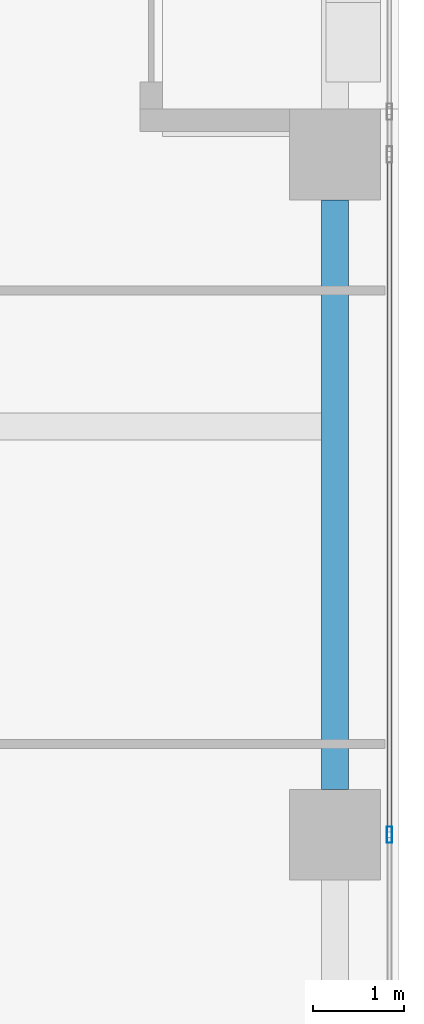
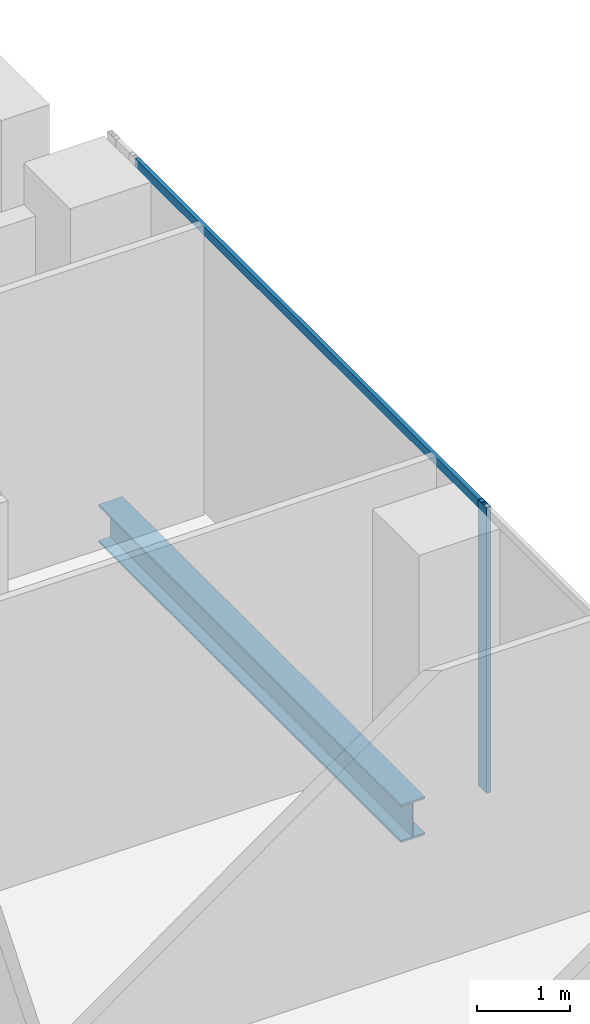
# One storey, part 17 of 40: 2 members, 1 beam, 1 element without a shape of its own.
"""IFC4 building model written with IfcOpenShell, lengths in metres."""

import ifcopenshell
import ifcopenshell.guid

model = None  # the IFC model being written
_history = None  # IfcOwnerHistory: only IFC2X3 demands one
_inside = {}  # id of a spatial element -> (the spatial element, [elements in it])
_under = {}  # id of a project, library or spatial element -> (it, [spatial elements below it])
_declared = {}  # id of a project -> (the project, [libraries it declares])
_typed = {}  # id of a type object -> (the type object, [elements of that type])
_made_of = {}  # id of a material, layer set ... -> (it, [elements and type objects made of it])


def new_model(schema):
    """Start an empty IFC model of exactly this schema.

    Asked for "IFC4X3", IfcOpenShell would pick the latest addendum, in which some entities
    have other attributes; the version numbers below select the first issue.
    IFC2X3 requires an IfcOwnerHistory on every rooted entity: one is made here for all.
    """
    global model, _history
    if schema == "IFC4X3":
        model = ifcopenshell.file(schema_version=(4, 3, 0, 0))
    else:
        model = ifcopenshell.file(schema=schema)
    _inside.clear()
    _under.clear()
    _declared.clear()
    _typed.clear()
    _made_of.clear()
    _history = None
    if model.schema == "IFC2X3":
        org = make("IfcOrganization", Name="unknown")
        user = make(
            "IfcPersonAndOrganization",
            ThePerson=make("IfcPerson", FamilyName="unknown"),
            TheOrganization=org,
        )
        app = make(
            "IfcApplication",
            ApplicationDeveloper=org,
            Version="unknown",
            ApplicationFullName="unknown",
            ApplicationIdentifier="unknown",
        )
        _history = make(
            "IfcOwnerHistory",
            OwningUser=user,
            OwningApplication=app,
            ChangeAction="ADDED",
            CreationDate=0,
        )
    return model


def make(cls, **values):
    """One entity of the class cls with the attributes given. An attribute that is None is left unset."""
    return model.create_entity(
        cls, **{name: value for name, value in values.items() if value is not None}
    )


def rooted(cls, **values):
    """An entity with a GlobalId (a new one), such as an element, a storey or a relation."""
    return make(cls, GlobalId=ifcopenshell.guid.new(), OwnerHistory=_history, **values)


def si_unit(unit_type, name, prefix=None):
    """IfcSIUnit, for example si_unit("LENGTHUNIT", "METRE", prefix="MILLI")."""
    return make("IfcSIUnit", UnitType=unit_type, Prefix=prefix, Name=name)


def assignment(units):
    """IfcUnitAssignment: the units of a project."""
    return None if units is None else make("IfcUnitAssignment", Units=units)


def point(xyz):
    """IfcCartesianPoint."""
    return None if xyz is None else make("IfcCartesianPoint", Coordinates=xyz)


def direction(xyz):
    """IfcDirection."""
    return None if xyz is None else make("IfcDirection", DirectionRatios=xyz)


def frame(location, z_axis=None, x_axis=None):
    """IfcAxis2Placement3D, a coordinate frame: its origin and axes. An axis left out is left unset."""
    return make(
        "IfcAxis2Placement3D",
        Location=point(location),
        Axis=direction(z_axis),
        RefDirection=direction(x_axis),
    )


def frame_2d(location, x_axis=None):
    """IfcAxis2Placement2D, a coordinate frame in the plane: its origin and x axis."""
    return make(
        "IfcAxis2Placement2D", Location=point(location), RefDirection=direction(x_axis)
    )


def origin():
    """The frame at (0, 0, 0) with its axes left unset."""
    return frame((0.0, 0.0, 0.0))


def origin_2d():
    """The frame at (0, 0) in the plane with its x axis left unset."""
    return frame_2d((0.0, 0.0))


def place(relative_to, where):
    """IfcLocalPlacement: puts the frame where relative to a parent placement (None: the world)."""
    return make(
        "IfcLocalPlacement", PlacementRelTo=relative_to, RelativePlacement=where
    )


def context(
    kind, dimensions, precision=None, world=None, true_north=None, identifier=None
):
    """IfcGeometricRepresentationContext, for example the 3D "Model" context."""
    return make(
        "IfcGeometricRepresentationContext",
        ContextIdentifier=identifier,
        ContextType=kind,
        CoordinateSpaceDimension=dimensions,
        Precision=precision,
        WorldCoordinateSystem=world,
        TrueNorth=true_north,
    )


def subcontext(parent, identifier, kind, view, scale=None):
    """IfcGeometricRepresentationSubContext, for example "Body" below "Model"."""
    return make(
        "IfcGeometricRepresentationSubContext",
        ContextIdentifier=identifier,
        ContextType=kind,
        ParentContext=parent,
        TargetScale=scale,
        TargetView=view,
    )


def project(units=None, contexts=None):
    """IfcProject with its units and contexts."""
    return rooted(
        "IfcProject",
        Name="project",
        RepresentationContexts=contexts,
        UnitsInContext=assignment(units),
    )


def spatial(cls, under=None, at=None, **own):
    """A site, building, storey or space (cls), placed at a placement, below another one or the project."""
    s = rooted(cls, ObjectPlacement=at, **own)
    if under is not None:
        _under.setdefault(under.id(), (under, []))[1].append(s)
    return s


def profile(cls, at=None, kind="AREA", **sizes):
    """A parametric profile (cls). Its sizes go by their IFC names, for example OverallWidth=200.0."""
    return make(cls, ProfileType=kind, Position=at, **sizes)


def hollow_rectangle(**sizes):
    """IfcRectangleHollowProfileDef."""
    return profile("IfcRectangleHollowProfileDef", **sizes)


def i_section(**sizes):
    """IfcIShapeProfileDef."""
    return profile("IfcIShapeProfileDef", **sizes)


def extrude(swept, where, along, depth):
    """IfcExtrudedAreaSolid: the profile swept, set in the frame where, extruded along a direction by depth."""
    return make(
        "IfcExtrudedAreaSolid",
        SweptArea=swept,
        Position=where,
        ExtrudedDirection=direction(along),
        Depth=depth,
    )


def shape(context_of_items, identifier, shape_type, items):
    """IfcShapeRepresentation: the items that make up one representation, for example the "Body"."""
    return make(
        "IfcShapeRepresentation",
        ContextOfItems=context_of_items,
        RepresentationIdentifier=identifier,
        RepresentationType=shape_type,
        Items=items,
    )


def source(mapping_origin, context_of_items, identifier, shape_type, items):
    """IfcRepresentationMap: a shape defined once, which mapped items show again and again."""
    return make(
        "IfcRepresentationMap",
        MappingOrigin=mapping_origin,
        MappedRepresentation=shape(context_of_items, identifier, shape_type, items),
    )


def transform(
    local_origin,
    x_axis=None,
    y_axis=None,
    z_axis=None,
    scale=None,
    scale2=None,
    scale3=None,
    uniform=True,
):
    """IfcCartesianTransformationOperator3D, or its non-uniform kind. x_axis, y_axis, z_axis: its Axis1, 2, 3."""
    if uniform:
        return make(
            "IfcCartesianTransformationOperator3D",
            Axis1=direction(x_axis),
            Axis2=direction(y_axis),
            LocalOrigin=point(local_origin),
            Scale=scale,
            Axis3=direction(z_axis),
        )
    return make(
        "IfcCartesianTransformationOperator3DnonUniform",
        Axis1=direction(x_axis),
        Axis2=direction(y_axis),
        LocalOrigin=point(local_origin),
        Scale=scale,
        Axis3=direction(z_axis),
        Scale2=scale2,
        Scale3=scale3,
    )


def mapped(mapping_source, mapping_target):
    """IfcMappedItem: shows the shape of a source again, moved by a transform."""
    return make(
        "IfcMappedItem", MappingSource=mapping_source, MappingTarget=mapping_target
    )


def material(Name=None, Category=None):
    """IfcMaterial."""
    return make("IfcMaterial", Name=Name, Category=Category)


def material_profile(
    of_material, cross_section, Name=None, Category=None, Priority=None
):
    """IfcMaterialProfile: a cross section and its material."""
    return make(
        "IfcMaterialProfile",
        Name=Name,
        Material=of_material,
        Profile=cross_section,
        Priority=Priority,
        Category=Category,
    )


def profile_set(profiles, Name=None, composite=None):
    """IfcMaterialProfileSet."""
    return make(
        "IfcMaterialProfileSet",
        Name=Name,
        MaterialProfiles=profiles,
        CompositeProfile=composite,
    )


def made_of(thing, what):
    """Note that an element or type object is made of a material, layer set ...; save() writes the relation."""
    if what is not None:
        _made_of.setdefault(what.id(), (what, []))[1].append(thing)
    return thing


def type_object(cls, material=None, **own):
    """A type object (cls), such as IfcWallType, which elements share."""
    return made_of(rooted(cls, **own), material)


def element(
    cls,
    number,
    at=None,
    inside=None,
    cuts=None,
    type_object=None,
    material=None,
    context=None,
    identifier="Body",
    shape_type=None,
    held_by="IfcProductDefinitionShape",
    body=None,
    shapes=None,
    **own,
):
    """One element of the class cls, such as IfcWall. Its Tag is "e" and its number.

    at: its placement. inside: the storey or other place that contains it. cuts: it is an
    opening in that element (IfcRelVoidsElement). A single representation is given by context,
    identifier, shape_type and body (its items); several are given by shapes. held_by: the class
    of the entity that holds the representations. save() writes the other relations.
    """
    e = rooted(cls, Tag="e%d" % number, ObjectPlacement=at, **own)
    if body is not None:
        shapes = [shape(context, identifier, shape_type, body)]
    if shapes is not None:
        e.Representation = make(held_by, Representations=shapes)
    if inside is not None:
        _inside.setdefault(inside.id(), (inside, []))[1].append(e)
    if cuts is not None:
        rooted(
            "IfcRelVoidsElement", RelatingBuildingElement=cuts, RelatedOpeningElement=e
        )
    if type_object is not None:
        _typed.setdefault(type_object.id(), (type_object, []))[1].append(e)
    return made_of(e, material)


def aggregate(whole, parts):
    """IfcRelAggregates: a whole, such as a stair, and the parts it consists of."""
    return rooted("IfcRelAggregates", RelatingObject=whole, RelatedObjects=parts)


def save(model, path):
    """Write the relations noted so far, then the file.

    IfcRelAggregates (storeys below a building ...), IfcRelContainedInSpatialStructure (elements
    in a storey), IfcRelDefinesByType, IfcRelAssociatesMaterial and IfcRelDeclares: one each for
    every whole, place, type object, material and project.
    """
    for whole, parts in _under.values():
        aggregate(whole, parts)
    for where, things in _inside.values():
        rooted(
            "IfcRelContainedInSpatialStructure",
            RelatedElements=things,
            RelatingStructure=where,
        )
    for kind, things in _typed.values():
        rooted("IfcRelDefinesByType", RelatedObjects=things, RelatingType=kind)
    for what, things in _made_of.values():
        rooted("IfcRelAssociatesMaterial", RelatedObjects=things, RelatingMaterial=what)
    for by, libraries in _declared.values():
        rooted("IfcRelDeclares", RelatingContext=by, RelatedDefinitions=libraries)
    model.write(path)


model = new_model("IFC4")

# Units and contexts
model_context = context("Model", 3, precision=1e-05, world=origin(), true_north=direction((0.0, 1.0)))
body_context = subcontext(model_context, "Body", "Model", "MODEL_VIEW")
ifc_project = project(units=[si_unit("LENGTHUNIT", "METRE"), si_unit("AREAUNIT", "SQUARE_METRE"), si_unit("VOLUMEUNIT", "CUBIC_METRE"), si_unit("PLANEANGLEUNIT", "RADIAN"), si_unit("MASSUNIT", "GRAM", prefix="KILO")], contexts=[model_context])

# Site, building, storey
site_placement = place(None, origin())
site = spatial("IfcSite", under=ifc_project, at=site_placement, CompositionType="ELEMENT")
building_placement = place(site_placement, origin())
building = spatial("IfcBuilding", under=site, at=building_placement, Name="Khomas Fold Tower", CompositionType="ELEMENT")
storey_placement = place(building_placement, frame((0.0, 0.0, 184.699951171875)))
storey = spatial("IfcBuildingStorey", under=building, at=storey_placement, Name="L40", CompositionType="ELEMENT", Elevation=184.699951171875)

# Beam
ifc_material_1 = material(Name="Steel S355", Category="steel")
ifc_material_profile_1 = material_profile(ifc_material_1, i_section(OverallWidth=0.300048828125, OverallDepth=0.5, WebThickness=0.014404296875, FlangeThickness=0.028076171875, at=origin_2d()), Name="HE 500 B")
ifc_profile_set_1 = profile_set([ifc_material_profile_1], Name="Steel S355")
beam_type = type_object("IfcBeamType", Name="HE 500 B spandrel SB3", PredefinedType="SPANDREL", material=ifc_profile_set_1)
shared_shape_1 = source(origin(), body_context, "Body", "SweptSolid", [
    extrude(i_section(OverallWidth=0.300048828125, OverallDepth=0.5, WebThickness=0.014404296875, FlangeThickness=0.028076171875, at=origin_2d()), origin(), (0.0, 0.0, 1.0), 6.5),
])
beam_placement = place(storey_placement, frame((50.300048828125, 27.5, -0.5), z_axis=(0.0, 1.0, 0.0), x_axis=(-1.0, 0.0, 0.0)))
element("IfcBeam", 1, at=beam_placement, inside=storey, type_object=beam_type, Name="SB3", PredefinedType="SPANDREL", context=body_context, shape_type="MappedRepresentation", body=[
    mapped(shared_shape_1, transform((0.0, 0.0, 0.0))),
])

# Curtain wall, members
ifc_material_2 = material(Name="Aluminium framed double glazing", Category="aluminium")
curtain_wall_type = type_object("IfcCurtainWallType", Name="SK-Unitised clear-glass wall, office floors CW2", PredefinedType="NOTDEFINED", material=ifc_material_2)
curtain_wall_placement = place(storey_placement, origin())
curtain_wall = element("IfcCurtainWall", 2, at=curtain_wall_placement, inside=storey, type_object=curtain_wall_type, Name="CW2 run L40 08-0", PredefinedType="NOTDEFINED")
ifc_material_3 = material(Name="Aluminium", Category="aluminium")
ifc_material_profile_2 = material_profile(ifc_material_3, hollow_rectangle(XDim=0.06005859375, YDim=0.179931640625, WallThickness=0.00390625, at=origin_2d()), Name="SK-Unitised clear-glass wall, office floors mullion CW2-M")
ifc_profile_set_2 = profile_set([ifc_material_profile_2], Name="Aluminium")
member_type_1 = type_object("IfcMemberType", Name="SK-Unitised clear-glass wall, office floors mullion CW2-M", PredefinedType="MULLION", material=ifc_profile_set_2)
shared_shape_2 = source(origin(), body_context, "Body", "SweptSolid", [
    extrude(hollow_rectangle(XDim=0.06005859375, YDim=0.179931640625, WallThickness=0.00390625, at=origin_2d()), origin(), (0.0, 0.0, 1.0), 3.75),
])
member_1_placement = place(storey_placement, frame((50.89990234375, 27.0, 0.0), z_axis=(0.0, 0.0, 1.0), x_axis=(-1.0, 0.0, 0.0)))
member_1 = element("IfcMember", 3, at=member_1_placement, type_object=member_type_1, Name="CW2 mullion 5", PredefinedType="MULLION", context=body_context, shape_type="MappedRepresentation", body=[
    mapped(shared_shape_2, transform((0.0, 0.0, 0.0))),
])
ifc_material_4 = material(Name="Aluminium", Category="aluminium")
ifc_material_profile_3 = material_profile(ifc_material_4, hollow_rectangle(XDim=0.050048828125, YDim=0.110107421875, WallThickness=0.00390625, at=origin_2d()), Name="SK-Unitised clear-glass wall, office floors transom CW2-T")
ifc_profile_set_3 = profile_set([ifc_material_profile_3], Name="Aluminium")
member_type_2 = type_object("IfcMemberType", Name="SK-Unitised clear-glass wall, office floors transom CW2-T", PredefinedType="USERDEFINED", material=ifc_profile_set_3)
shared_shape_3 = source(origin(), body_context, "Body", "SweptSolid", [
    extrude(hollow_rectangle(XDim=0.050048828125, YDim=0.110107421875, WallThickness=0.00390625, at=origin_2d()), origin(), (0.0, 0.0, 1.0), 7.43994140625),
])
member_2_placement = place(storey_placement, frame((50.89990234375, 27.030029296875, 3.695068359375), z_axis=(0.0, 1.0, 0.0), x_axis=(-1.0, 0.0, 0.0)))
member_2 = element("IfcMember", 4, at=member_2_placement, type_object=member_type_2, Name="CW2 transom 5", ObjectType="TRANSOM", PredefinedType="USERDEFINED", context=body_context, shape_type="MappedRepresentation", body=[
    mapped(shared_shape_3, transform((0.0, 0.0, 0.0))),
])
aggregate(curtain_wall, [member_1, member_2])

save(model, "model.ifc")
